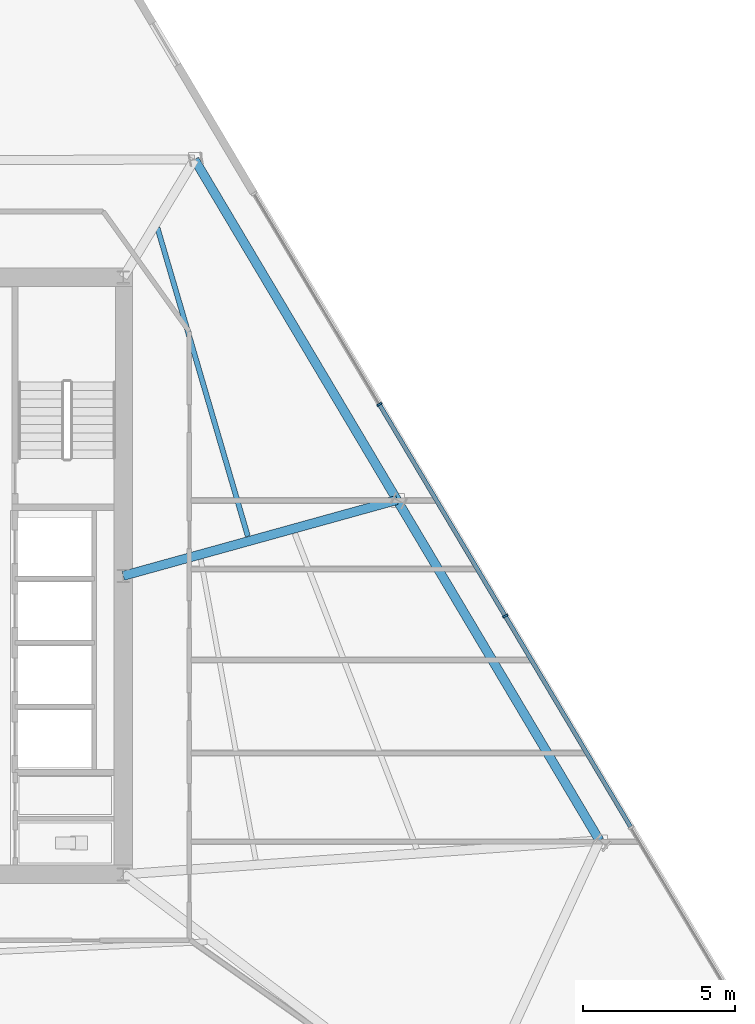
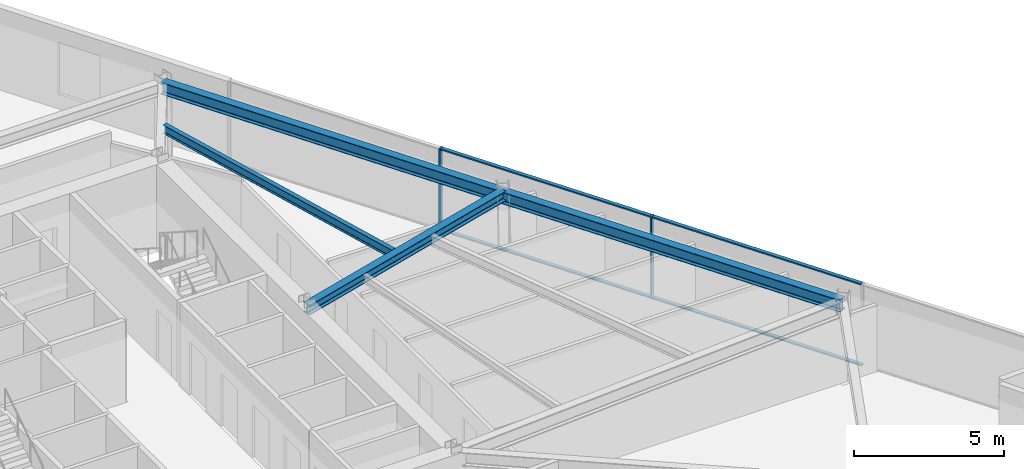
# One storey, part 5 of 15: 6 members, 4 beams, 1 element without a shape of its own.
"""IFC4 building model written with IfcOpenShell, lengths in metres."""

from ifc_helpers import new_model, si_unit, direction, frame, origin, origin_2d, place, context, subcontext, project, spatial, rectangle, i_section, extrude, material, material_profile, profile_set, type_object, element, aggregate, save


model = new_model("IFC4")

# Units and contexts
model_context = context("Model", 3, precision=1e-05, world=origin(), true_north=direction((0.0, 1.0)))
body_context = subcontext(model_context, "Body", "Model", "MODEL_VIEW")
ifc_project = project(units=[si_unit("LENGTHUNIT", "METRE"), si_unit("AREAUNIT", "SQUARE_METRE"), si_unit("VOLUMEUNIT", "CUBIC_METRE"), si_unit("PLANEANGLEUNIT", "RADIAN"), si_unit("MASSUNIT", "GRAM", prefix="KILO")], contexts=[model_context])

# Site, building, storey
site_placement = place(None, origin())
site = spatial("IfcSite", under=ifc_project, at=site_placement, CompositionType="ELEMENT")
building_placement = place(site_placement, origin())
building = spatial("IfcBuilding", under=site, at=building_placement, Name="Savorim Split Tower", CompositionType="ELEMENT")
storey_placement = place(building_placement, frame((0.0, 0.0, 96.89990234375)))
storey = spatial("IfcBuildingStorey", under=building, at=storey_placement, Name="L25", CompositionType="ELEMENT", Elevation=96.89990234375)

# Beams
ifc_material_1 = material(Name="Steel S355", Category="steel")
ifc_material_profile_1 = material_profile(ifc_material_1, i_section(OverallWidth=0.169921875, OverallDepth=0.360107421875, WebThickness=0.008056640625, FlangeThickness=0.0126953125, FilletRadius=0.01806640625, at=origin_2d()), Name="IPE 360")
ifc_profile_set_1 = profile_set([ifc_material_profile_1], Name="Steel S355")
beam_type_1 = type_object("IfcBeamType", Name="BM-JST-IPE360", PredefinedType="JOIST", material=ifc_profile_set_1)
beam_1_placement = place(storey_placement, frame((11.789306640625, 1.698486328125, 3.170166015625), z_axis=(-0.281207989356, 0.959646844794, 0.0), x_axis=(-0.959646844794, -0.281207989356, 0.0)))
element("IfcBeam", 1, at=beam_1_placement, inside=storey, type_object=beam_type_1, Name="L25 Secondary Floor Joist JS-07", PredefinedType="JOIST", context=body_context, shape_type="SweptSolid", body=[
    extrude(i_section(OverallWidth=0.169921875, OverallDepth=0.360107421875, WebThickness=0.008056640625, FlangeThickness=0.0126953125, FilletRadius=0.01806640625, at=origin_2d()), origin(), (0.0, 0.0, 1.0), 10.552734375),
])
ifc_material_profile_2 = material_profile(ifc_material_1, i_section(OverallWidth=0.300048828125, OverallDepth=0.39990234375, WebThickness=0.013427734375, FlangeThickness=0.02392578125, FilletRadius=0.027099609375, at=origin_2d()), Name="HEB 400")
ifc_profile_set_2 = profile_set([ifc_material_profile_2], Name="Steel S355")
beam_type_2 = type_object("IfcBeamType", Name="BM-PRI-HEB400", PredefinedType="BEAM", material=ifc_profile_set_2)
beam_2_placement = place(storey_placement, frame((16.687255859375, 2.88916015625, 3.150146484375), z_axis=(-0.963717175633, -0.266925467857, 0.0), x_axis=(0.266925467857, -0.963717175633, 0.0)))
element("IfcBeam", 2, at=beam_2_placement, inside=storey, type_object=beam_type_2, Name="L25 Primary Floor Girder RG-06", PredefinedType="BEAM", context=body_context, shape_type="SweptSolid", body=[
    extrude(i_section(OverallWidth=0.300048828125, OverallDepth=0.39990234375, WebThickness=0.013427734375, FlangeThickness=0.02392578125, FilletRadius=0.027099609375, at=origin_2d()), origin(), (0.0, 0.0, 1.0), 9.32568359375),
])
ifc_material_profile_3 = material_profile(ifc_material_1, i_section(OverallWidth=0.300048828125, OverallDepth=0.489990234375, WebThickness=0.011962890625, FlangeThickness=0.02294921875, FilletRadius=0.027099609375, at=origin_2d()), Name="HEA 500")
ifc_profile_set_3 = profile_set([ifc_material_profile_3], Name="Steel S355")
beam_type_3 = type_object("IfcBeamType", Name="BM-SPN-HEA500", PredefinedType="SPANDREL", material=ifc_profile_set_3)
beam_3_placement = place(storey_placement, frame((23.333984375, -8.288818359375, 3.10498046875), z_axis=(-0.511096009641, 0.85952362907, 0.0), x_axis=(-0.85952362907, -0.511096009641, 0.0)))
element("IfcBeam", 3, at=beam_3_placement, inside=storey, type_object=beam_type_3, Name="L25 Perimeter Spandrel Beam 5", PredefinedType="SPANDREL", context=body_context, shape_type="SweptSolid", body=[
    extrude(i_section(OverallWidth=0.300048828125, OverallDepth=0.489990234375, WebThickness=0.011962890625, FlangeThickness=0.02294921875, FilletRadius=0.027099609375, at=origin_2d()), origin(), (0.0, 0.0, 1.0), 13.0048828125),
])
beam_4_placement = place(storey_placement, frame((16.687255859375, 2.88916015625, 3.10498046875), z_axis=(-0.511087762771, 0.859528532828, 0.0), x_axis=(-0.859528532828, -0.511087762771, 0.0)))
element("IfcBeam", 4, at=beam_4_placement, inside=storey, type_object=beam_type_3, Name="L25 Perimeter Spandrel Beam 6", PredefinedType="SPANDREL", context=body_context, shape_type="SweptSolid", body=[
    extrude(i_section(OverallWidth=0.300048828125, OverallDepth=0.489990234375, WebThickness=0.011962890625, FlangeThickness=0.02294921875, FilletRadius=0.027099609375, at=origin_2d()), origin(), (0.0, 0.0, 1.0), 13.005126953125),
])

# Curtain wall, members
ifc_material_2 = material(Name="Dark Ceramic-Fritted Insulated Glass", Category="glass")
curtain_wall_type = type_object("IfcCurtainWallType", Name="CW-TWR-FRIT-A", PredefinedType="NOTDEFINED", material=ifc_material_2)
curtain_wall_placement = place(storey_placement, origin())
curtain_wall = element("IfcCurtainWall", 5, at=curtain_wall_placement, inside=storey, type_object=curtain_wall_type, Name="L25 Curtain Wall CW-L25-EAST", PredefinedType="NOTDEFINED")
ifc_material_3 = material(Name="Charcoal Anodised Aluminium", Category="aluminium")
ifc_material_profile_4 = material_profile(ifc_material_3, rectangle(XDim=0.179931640625, YDim=0.06494140625, at=origin_2d()), Name="ALU-M 180x65")
ifc_profile_set_4 = profile_set([ifc_material_profile_4], Name="Charcoal Anodised Aluminium")
member_type_1 = type_object("IfcMemberType", Name="CWM-180x65", PredefinedType="MULLION", material=ifc_profile_set_4)
member_1_placement = place(storey_placement, frame((20.23681640625, -0.91845703125, 0.0), z_axis=(0.0, 0.0, 1.0), x_axis=(-0.859524537852, -0.511094481315, 0.0)))
member_1 = element("IfcMember", 6, at=member_1_placement, type_object=member_type_1, Name="CW-02 mullion 3", PredefinedType="MULLION", context=body_context, shape_type="SweptSolid", body=[
    extrude(rectangle(XDim=0.179931640625, YDim=0.06494140625, at=origin_2d()), origin(), (0.0, 0.0, 1.0), 3.35009765625),
])
member_2_placement = place(storey_placement, frame((16.106689453125, 6.027099609375, 0.0), z_axis=(0.0, 0.0, 1.0), x_axis=(-0.859524537852, -0.511094481315, 0.0)))
member_2 = element("IfcMember", 7, at=member_2_placement, type_object=member_type_1, Name="CW-02 mullion 4", PredefinedType="MULLION", context=body_context, shape_type="SweptSolid", body=[
    extrude(rectangle(XDim=0.179931640625, YDim=0.06494140625, at=origin_2d()), origin(), (0.0, 0.0, 1.0), 3.35009765625),
])
ifc_material_profile_5 = material_profile(ifc_material_3, rectangle(XDim=0.139892578125, YDim=0.054931640625, at=origin_2d()), Name="ALU-T 140x55")
ifc_profile_set_5 = profile_set([ifc_material_profile_5], Name="Charcoal Anodised Aluminium")
member_type_2 = type_object("IfcMemberType", Name="CWT-140x55", PredefinedType="USERDEFINED", material=ifc_profile_set_5)
member_3_placement = place(storey_placement, frame((24.35009765625, -7.836181640625, 0.027587890625), z_axis=(-0.511074176555, 0.859536611238, 0.0), x_axis=(-0.859536611238, -0.511074176555, 0.0)))
member_3 = element("IfcMember", 8, at=member_3_placement, type_object=member_type_2, Name="CW-02 transom 2.1", ObjectType="TRANSOM", PredefinedType="USERDEFINED", context=body_context, shape_type="SweptSolid", body=[
    extrude(rectangle(XDim=0.139892578125, YDim=0.054931640625, at=origin_2d()), origin(), (0.0, 0.0, 1.0), 8.015869140625),
])
member_4_placement = place(storey_placement, frame((24.35009765625, -7.836181640625, 3.322509765625), z_axis=(-0.511074176555, 0.859536611238, 0.0), x_axis=(-0.859536611238, -0.511074176555, 0.0)))
member_4 = element("IfcMember", 9, at=member_4_placement, type_object=member_type_2, Name="CW-02 transom 2.2", ObjectType="TRANSOM", PredefinedType="USERDEFINED", context=body_context, shape_type="SweptSolid", body=[
    extrude(rectangle(XDim=0.139892578125, YDim=0.054931640625, at=origin_2d()), origin(), (0.0, 0.0, 1.0), 8.015869140625),
])
member_5_placement = place(storey_placement, frame((20.22021484375, -0.890380859375, 0.027587890625), z_axis=(-0.511110057984, 0.859515275389, 0.0), x_axis=(-0.859515275389, -0.511110057984, 0.0)))
member_5 = element("IfcMember", 10, at=member_5_placement, type_object=member_type_2, Name="CW-02 transom 3.1", ObjectType="TRANSOM", PredefinedType="USERDEFINED", context=body_context, shape_type="SweptSolid", body=[
    extrude(rectangle(XDim=0.139892578125, YDim=0.054931640625, at=origin_2d()), origin(), (0.0, 0.0, 1.0), 8.015625),
])
member_6_placement = place(storey_placement, frame((20.22021484375, -0.890380859375, 3.322509765625), z_axis=(-0.511110057984, 0.859515275389, 0.0), x_axis=(-0.859515275389, -0.511110057984, 0.0)))
member_6 = element("IfcMember", 11, at=member_6_placement, type_object=member_type_2, Name="CW-02 transom 3.2", ObjectType="TRANSOM", PredefinedType="USERDEFINED", context=body_context, shape_type="SweptSolid", body=[
    extrude(rectangle(XDim=0.139892578125, YDim=0.054931640625, at=origin_2d()), origin(), (0.0, 0.0, 1.0), 8.015625),
])
aggregate(curtain_wall, [member_1, member_2, member_3, member_4, member_5, member_6])

save(model, "model.ifc")
